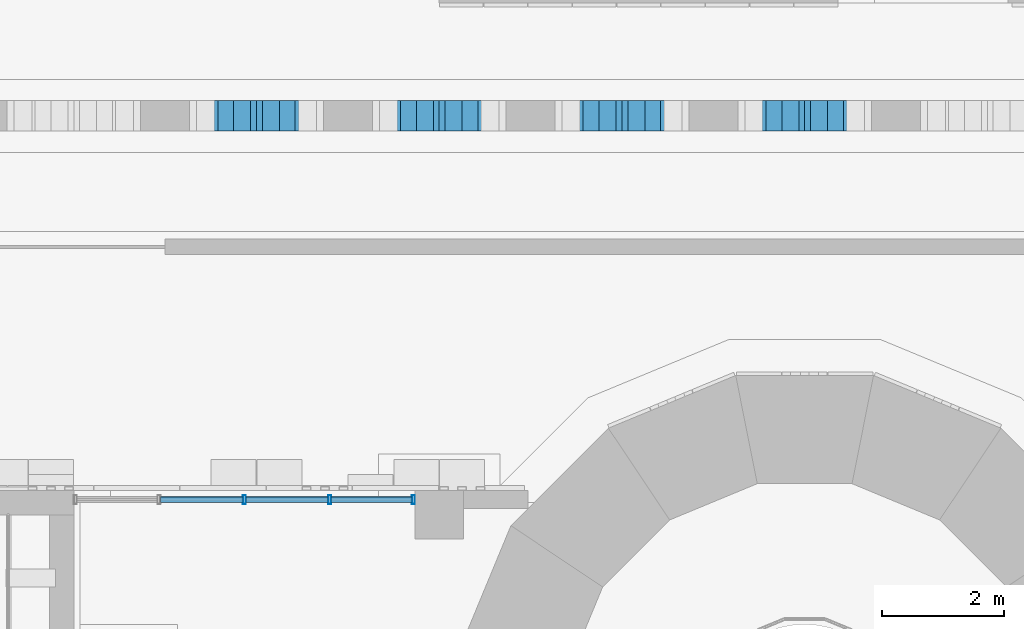
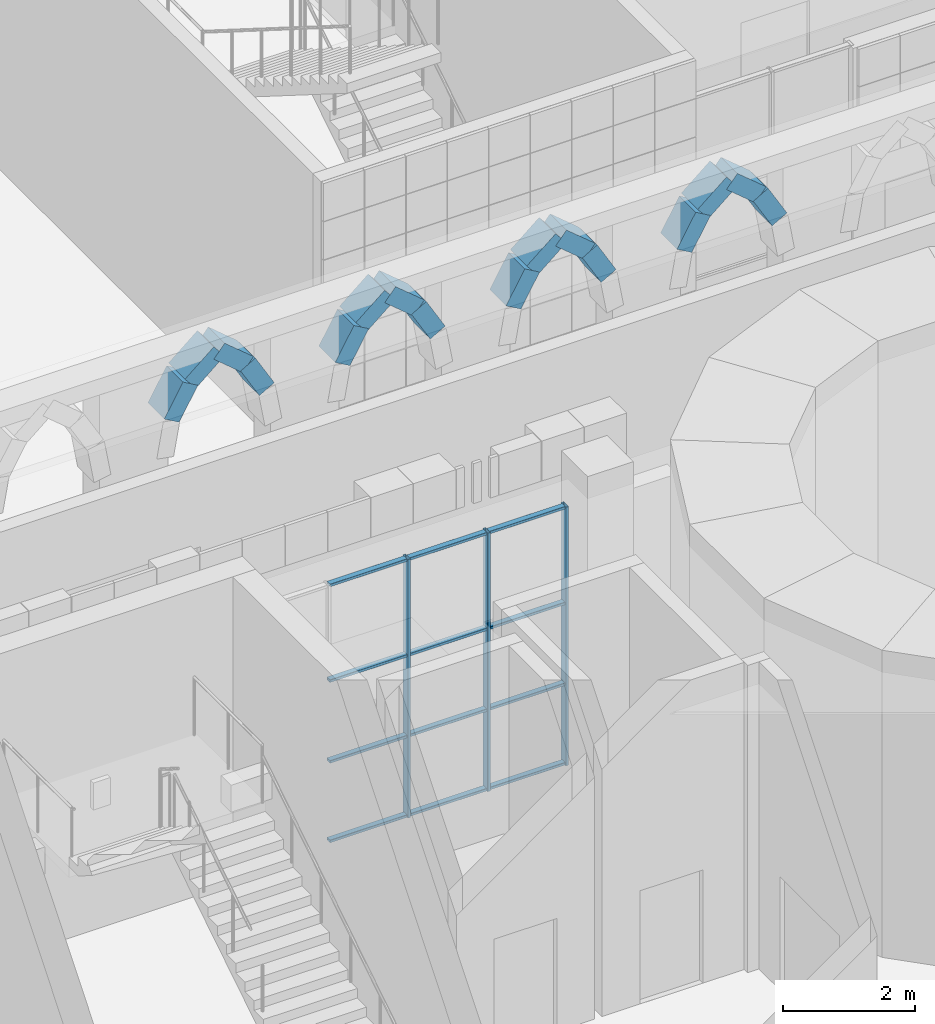
# One storey, part 7 of 125: 31 members, 1 element without a shape of its own.
"""IFC4 building model written with IfcOpenShell, lengths in metres."""

from ifc_helpers import new_model, si_unit, direction, frame, origin, origin_2d, place, context, subcontext, project, spatial, rectangle, hollow_rectangle, extrude, material, material_profile, profile_set, type_object, element, aggregate, save


model = new_model("IFC4")

# Units and contexts
model_context = context("Model", 3, precision=1e-05, world=origin(), true_north=direction((0.0, 1.0)))
body_context = subcontext(model_context, "Body", "Model", "MODEL_VIEW")
ifc_project = project(units=[si_unit("LENGTHUNIT", "METRE"), si_unit("AREAUNIT", "SQUARE_METRE"), si_unit("VOLUMEUNIT", "CUBIC_METRE"), si_unit("PLANEANGLEUNIT", "RADIAN"), si_unit("MASSUNIT", "GRAM", prefix="KILO")], contexts=[model_context])

# Site, building, storey
site_placement = place(None, origin())
site = spatial("IfcSite", under=ifc_project, at=site_placement, CompositionType="ELEMENT")
building_placement = place(site_placement, origin())
building = spatial("IfcBuilding", under=site, at=building_placement, Name="Sun Court Science Centre", CompositionType="ELEMENT")
storey_placement = place(building_placement, origin())
storey = spatial("IfcBuildingStorey", under=building, at=storey_placement, Name="L00", CompositionType="ELEMENT", Elevation=0.0)

# Members
ifc_material_1 = material(Name="Concrete C30/37", Category="concrete")
ifc_material_profile_1 = material_profile(ifc_material_1, rectangle(XDim=0.5, YDim=0.300048828125, at=origin_2d()), Name="RC 500x300")
ifc_profile_set_1 = profile_set([ifc_material_profile_1], Name="Concrete C30/37")
member_type_1 = type_object("IfcMemberType", Name="Arcade arch rib RC 500x300", PredefinedType="MEMBER", material=ifc_profile_set_1)
member_1_placement = place(storey_placement, frame((32.16455078125, 34.14990234375, 3.8798828125), z_axis=(0.500117354631, 0.0, 0.865957638454), x_axis=(0.0, 1.0, 0.0)))
element("IfcMember", 1, at=member_1_placement, inside=storey, type_object=member_type_1, Name="Arcade arch rib AR1 bay 03", PredefinedType="MEMBER", context=body_context, shape_type="SweptSolid", body=[
    extrude(rectangle(XDim=0.5, YDim=0.300048828125, at=origin_2d()), origin(), (0.0, 0.0, 1.0), 0.659912109375),
])
member_2_placement = place(storey_placement, frame((32.49462890625, 34.14990234375, 4.451416015625), z_axis=(0.76603282395, 0.0, 0.642801456619), x_axis=(0.0, 1.0, 0.0)))
element("IfcMember", 2, at=member_2_placement, inside=storey, type_object=member_type_1, Name="Arcade arch rib AR1 bay 03", PredefinedType="MEMBER", context=body_context, shape_type="SweptSolid", body=[
    extrude(rectangle(XDim=0.5, YDim=0.300048828125, at=origin_2d()), origin(), (0.0, 0.0, 1.0), 0.65966796875),
])
member_3_placement = place(storey_placement, frame((33.83544921875, 34.14990234375, 3.8798828125), z_axis=(-0.500117354631, 0.0, 0.865957638454), x_axis=(0.0, -1.0, 0.0)))
element("IfcMember", 3, at=member_3_placement, inside=storey, type_object=member_type_1, Name="Arcade arch rib AR1 bay 03", PredefinedType="MEMBER", context=body_context, shape_type="SweptSolid", body=[
    extrude(rectangle(XDim=0.5, YDim=0.300048828125, at=origin_2d()), origin(), (0.0, 0.0, 1.0), 0.659912109375),
])
member_4_placement = place(storey_placement, frame((33.50537109375, 34.14990234375, 4.451416015625), z_axis=(-0.76603282395, 0.0, 0.642801456619), x_axis=(0.0, -1.0, 0.0)))
element("IfcMember", 4, at=member_4_placement, inside=storey, type_object=member_type_1, Name="Arcade arch rib AR1 bay 03", PredefinedType="MEMBER", context=body_context, shape_type="SweptSolid", body=[
    extrude(rectangle(XDim=0.5, YDim=0.300048828125, at=origin_2d()), origin(), (0.0, 0.0, 1.0), 0.65966796875),
])
member_5_placement = place(storey_placement, frame((35.16455078125, 34.14990234375, 3.8798828125), z_axis=(0.500117354631, 0.0, 0.865957638454), x_axis=(0.0, 1.0, 0.0)))
element("IfcMember", 5, at=member_5_placement, inside=storey, type_object=member_type_1, Name="Arcade arch rib AR1 bay 04", PredefinedType="MEMBER", context=body_context, shape_type="SweptSolid", body=[
    extrude(rectangle(XDim=0.5, YDim=0.300048828125, at=origin_2d()), origin(), (0.0, 0.0, 1.0), 0.659912109375),
])
member_6_placement = place(storey_placement, frame((35.49462890625, 34.14990234375, 4.451416015625), z_axis=(0.76603282395, 0.0, 0.642801456619), x_axis=(0.0, 1.0, 0.0)))
element("IfcMember", 6, at=member_6_placement, inside=storey, type_object=member_type_1, Name="Arcade arch rib AR1 bay 04", PredefinedType="MEMBER", context=body_context, shape_type="SweptSolid", body=[
    extrude(rectangle(XDim=0.5, YDim=0.300048828125, at=origin_2d()), origin(), (0.0, 0.0, 1.0), 0.65966796875),
])
member_7_placement = place(storey_placement, frame((36.83544921875, 34.14990234375, 3.8798828125), z_axis=(-0.500117354631, 0.0, 0.865957638454), x_axis=(0.0, -1.0, 0.0)))
element("IfcMember", 7, at=member_7_placement, inside=storey, type_object=member_type_1, Name="Arcade arch rib AR1 bay 04", PredefinedType="MEMBER", context=body_context, shape_type="SweptSolid", body=[
    extrude(rectangle(XDim=0.5, YDim=0.300048828125, at=origin_2d()), origin(), (0.0, 0.0, 1.0), 0.659912109375),
])
member_8_placement = place(storey_placement, frame((36.50537109375, 34.14990234375, 4.451416015625), z_axis=(-0.76603282395, 0.0, 0.642801456619), x_axis=(0.0, -1.0, 0.0)))
element("IfcMember", 8, at=member_8_placement, inside=storey, type_object=member_type_1, Name="Arcade arch rib AR1 bay 04", PredefinedType="MEMBER", context=body_context, shape_type="SweptSolid", body=[
    extrude(rectangle(XDim=0.5, YDim=0.300048828125, at=origin_2d()), origin(), (0.0, 0.0, 1.0), 0.65966796875),
])
member_9_placement = place(storey_placement, frame((38.16455078125, 34.14990234375, 3.8798828125), z_axis=(0.500117354631, 0.0, 0.865957638454), x_axis=(0.0, 1.0, 0.0)))
element("IfcMember", 9, at=member_9_placement, inside=storey, type_object=member_type_1, Name="Arcade arch rib AR1 bay 05", PredefinedType="MEMBER", context=body_context, shape_type="SweptSolid", body=[
    extrude(rectangle(XDim=0.5, YDim=0.300048828125, at=origin_2d()), origin(), (0.0, 0.0, 1.0), 0.659912109375),
])
member_10_placement = place(storey_placement, frame((38.49462890625, 34.14990234375, 4.451416015625), z_axis=(0.76603282395, 0.0, 0.642801456619), x_axis=(0.0, 1.0, 0.0)))
element("IfcMember", 10, at=member_10_placement, inside=storey, type_object=member_type_1, Name="Arcade arch rib AR1 bay 05", PredefinedType="MEMBER", context=body_context, shape_type="SweptSolid", body=[
    extrude(rectangle(XDim=0.5, YDim=0.300048828125, at=origin_2d()), origin(), (0.0, 0.0, 1.0), 0.65966796875),
])
member_11_placement = place(storey_placement, frame((39.83544921875, 34.14990234375, 3.8798828125), z_axis=(-0.500117354631, 0.0, 0.865957638454), x_axis=(0.0, -1.0, 0.0)))
element("IfcMember", 11, at=member_11_placement, inside=storey, type_object=member_type_1, Name="Arcade arch rib AR1 bay 05", PredefinedType="MEMBER", context=body_context, shape_type="SweptSolid", body=[
    extrude(rectangle(XDim=0.5, YDim=0.300048828125, at=origin_2d()), origin(), (0.0, 0.0, 1.0), 0.659912109375),
])
member_12_placement = place(storey_placement, frame((39.50537109375, 34.14990234375, 4.451416015625), z_axis=(-0.76603282395, 0.0, 0.642801456619), x_axis=(0.0, -1.0, 0.0)))
element("IfcMember", 12, at=member_12_placement, inside=storey, type_object=member_type_1, Name="Arcade arch rib AR1 bay 05", PredefinedType="MEMBER", context=body_context, shape_type="SweptSolid", body=[
    extrude(rectangle(XDim=0.5, YDim=0.300048828125, at=origin_2d()), origin(), (0.0, 0.0, 1.0), 0.65966796875),
])
member_13_placement = place(storey_placement, frame((41.16455078125, 34.14990234375, 3.8798828125), z_axis=(0.500117354631, 0.0, 0.865957638454), x_axis=(0.0, 1.0, 0.0)))
element("IfcMember", 13, at=member_13_placement, inside=storey, type_object=member_type_1, Name="Arcade arch rib AR1 bay 06", PredefinedType="MEMBER", context=body_context, shape_type="SweptSolid", body=[
    extrude(rectangle(XDim=0.5, YDim=0.300048828125, at=origin_2d()), origin(), (0.0, 0.0, 1.0), 0.659912109375),
])
member_14_placement = place(storey_placement, frame((41.49462890625, 34.14990234375, 4.451416015625), z_axis=(0.76603282395, 0.0, 0.642801456619), x_axis=(0.0, 1.0, 0.0)))
element("IfcMember", 14, at=member_14_placement, inside=storey, type_object=member_type_1, Name="Arcade arch rib AR1 bay 06", PredefinedType="MEMBER", context=body_context, shape_type="SweptSolid", body=[
    extrude(rectangle(XDim=0.5, YDim=0.300048828125, at=origin_2d()), origin(), (0.0, 0.0, 1.0), 0.65966796875),
])
member_15_placement = place(storey_placement, frame((42.83544921875, 34.14990234375, 3.8798828125), z_axis=(-0.500117354631, 0.0, 0.865957638454), x_axis=(0.0, -1.0, 0.0)))
element("IfcMember", 15, at=member_15_placement, inside=storey, type_object=member_type_1, Name="Arcade arch rib AR1 bay 06", PredefinedType="MEMBER", context=body_context, shape_type="SweptSolid", body=[
    extrude(rectangle(XDim=0.5, YDim=0.300048828125, at=origin_2d()), origin(), (0.0, 0.0, 1.0), 0.659912109375),
])
member_16_placement = place(storey_placement, frame((42.50537109375, 34.14990234375, 4.451416015625), z_axis=(-0.76603282395, 0.0, 0.642801456619), x_axis=(0.0, -1.0, 0.0)))
element("IfcMember", 16, at=member_16_placement, inside=storey, type_object=member_type_1, Name="Arcade arch rib AR1 bay 06", PredefinedType="MEMBER", context=body_context, shape_type="SweptSolid", body=[
    extrude(rectangle(XDim=0.5, YDim=0.300048828125, at=origin_2d()), origin(), (0.0, 0.0, 1.0), 0.65966796875),
])

# Curtain wall, members
ifc_material_2 = material(Name="Aluminium EN AW-6063 T6", Category="aluminium")
curtain_wall_type = type_object("IfcCurtainWallType", Name="Court gallery curtain wall 1500", PredefinedType="NOTDEFINED", material=ifc_material_2)
curtain_wall_placement = place(storey_placement, origin())
curtain_wall = element("IfcCurtainWall", 17, at=curtain_wall_placement, inside=storey, type_object=curtain_wall_type, Name="Curtain wall V2 N L00 01", PredefinedType="NOTDEFINED")
ifc_material_3 = material(Name="Aluminium EN AW-6063 T6", Category="aluminium")
ifc_material_profile_2 = material_profile(ifc_material_3, hollow_rectangle(XDim=0.050048828125, YDim=0.14990234375, WallThickness=0.00390625, InnerFilletRadius=0.00390625, OuterFilletRadius=0.006103515625, at=origin_2d()), Name="AL 50x150x4")
ifc_profile_set_2 = profile_set([ifc_material_profile_2], Name="Aluminium EN AW-6063 T6")
member_type_2 = type_object("IfcMemberType", Name="Curtain wall mullion AL 50x150", PredefinedType="MULLION", material=ifc_profile_set_2)
member_17_placement = place(storey_placement, frame((32.800048828125, 27.85009765625, 0.0), z_axis=(0.0, 0.0, 1.0), x_axis=(1.0, 0.0, 0.0)))
member_17 = element("IfcMember", 18, at=member_17_placement, type_object=member_type_2, Name="CW5-01 mullion 3", PredefinedType="MULLION", context=body_context, shape_type="SweptSolid", body=[
    extrude(hollow_rectangle(XDim=0.050048828125, YDim=0.14990234375, WallThickness=0.00390625, InnerFilletRadius=0.00390625, OuterFilletRadius=0.006103515625, at=origin_2d()), origin(), (0.0, 0.0, 1.0), 4.800048828125),
])
member_18_placement = place(storey_placement, frame((34.199951171875, 27.85009765625, 0.0), z_axis=(0.0, 0.0, 1.0), x_axis=(1.0, 0.0, 0.0)))
member_18 = element("IfcMember", 19, at=member_18_placement, type_object=member_type_2, Name="CW5-01 mullion 4", PredefinedType="MULLION", context=body_context, shape_type="SweptSolid", body=[
    extrude(hollow_rectangle(XDim=0.050048828125, YDim=0.14990234375, WallThickness=0.00390625, InnerFilletRadius=0.00390625, OuterFilletRadius=0.006103515625, at=origin_2d()), origin(), (0.0, 0.0, 1.0), 4.800048828125),
])
member_19_placement = place(storey_placement, frame((35.574951171875, 27.85009765625, 0.0), z_axis=(0.0, 0.0, 1.0), x_axis=(1.0, 0.0, 0.0)))
member_19 = element("IfcMember", 20, at=member_19_placement, type_object=member_type_2, Name="CW5-01 mullion 5", PredefinedType="MULLION", context=body_context, shape_type="SweptSolid", body=[
    extrude(hollow_rectangle(XDim=0.050048828125, YDim=0.14990234375, WallThickness=0.00390625, InnerFilletRadius=0.00390625, OuterFilletRadius=0.006103515625, at=origin_2d()), origin(), (0.0, 0.0, 1.0), 4.800048828125),
])
ifc_material_4 = material(Name="Aluminium EN AW-6063 T6", Category="aluminium")
ifc_material_profile_3 = material_profile(ifc_material_4, hollow_rectangle(XDim=0.050048828125, YDim=0.10009765625, WallThickness=0.00390625, InnerFilletRadius=0.00390625, OuterFilletRadius=0.006103515625, at=origin_2d()), Name="AL 50x100x4")
ifc_profile_set_3 = profile_set([ifc_material_profile_3], Name="Aluminium EN AW-6063 T6")
member_type_3 = type_object("IfcMemberType", Name="Curtain wall transom AL 50x100", PredefinedType="USERDEFINED", material=ifc_profile_set_3)
member_20_placement = place(storey_placement, frame((31.425048828125, 27.85009765625, 0.02490234375), z_axis=(1.0, 0.0, 0.0), x_axis=(0.0, 0.0, 1.0)))
member_20 = element("IfcMember", 21, at=member_20_placement, type_object=member_type_3, Name="CW5-01 transom 2.1", ObjectType="TRANSOM", PredefinedType="USERDEFINED", context=body_context, shape_type="SweptSolid", body=[
    extrude(hollow_rectangle(XDim=0.050048828125, YDim=0.10009765625, WallThickness=0.00390625, InnerFilletRadius=0.00390625, OuterFilletRadius=0.006103515625, at=origin_2d()), origin(), (0.0, 0.0, 1.0), 1.349853515625),
])
member_21_placement = place(storey_placement, frame((32.824951171875, 27.85009765625, 0.02490234375), z_axis=(1.0, 0.0, 0.0), x_axis=(0.0, 0.0, 1.0)))
member_21 = element("IfcMember", 22, at=member_21_placement, type_object=member_type_3, Name="CW5-01 transom 3.1", ObjectType="TRANSOM", PredefinedType="USERDEFINED", context=body_context, shape_type="SweptSolid", body=[
    extrude(hollow_rectangle(XDim=0.050048828125, YDim=0.10009765625, WallThickness=0.00390625, InnerFilletRadius=0.00390625, OuterFilletRadius=0.006103515625, at=origin_2d()), origin(), (0.0, 0.0, 1.0), 1.35009765625),
])
member_22_placement = place(storey_placement, frame((34.22509765625, 27.85009765625, 0.02490234375), z_axis=(1.0, 0.0, 0.0), x_axis=(0.0, 0.0, 1.0)))
member_22 = element("IfcMember", 23, at=member_22_placement, type_object=member_type_3, Name="CW5-01 transom 4.1", ObjectType="TRANSOM", PredefinedType="USERDEFINED", context=body_context, shape_type="SweptSolid", body=[
    extrude(hollow_rectangle(XDim=0.050048828125, YDim=0.10009765625, WallThickness=0.00390625, InnerFilletRadius=0.00390625, OuterFilletRadius=0.006103515625, at=origin_2d()), origin(), (0.0, 0.0, 1.0), 1.324951171875),
])
member_23_placement = place(storey_placement, frame((31.425048828125, 27.85009765625, 1.5), z_axis=(1.0, 0.0, 0.0), x_axis=(0.0, 0.0, 1.0)))
member_23 = element("IfcMember", 24, at=member_23_placement, type_object=member_type_3, Name="CW5-01 transom 2.2", ObjectType="TRANSOM", PredefinedType="USERDEFINED", context=body_context, shape_type="SweptSolid", body=[
    extrude(hollow_rectangle(XDim=0.050048828125, YDim=0.10009765625, WallThickness=0.00390625, InnerFilletRadius=0.00390625, OuterFilletRadius=0.006103515625, at=origin_2d()), origin(), (0.0, 0.0, 1.0), 1.349853515625),
])
member_24_placement = place(storey_placement, frame((32.824951171875, 27.85009765625, 1.5), z_axis=(1.0, 0.0, 0.0), x_axis=(0.0, 0.0, 1.0)))
member_24 = element("IfcMember", 25, at=member_24_placement, type_object=member_type_3, Name="CW5-01 transom 3.2", ObjectType="TRANSOM", PredefinedType="USERDEFINED", context=body_context, shape_type="SweptSolid", body=[
    extrude(hollow_rectangle(XDim=0.050048828125, YDim=0.10009765625, WallThickness=0.00390625, InnerFilletRadius=0.00390625, OuterFilletRadius=0.006103515625, at=origin_2d()), origin(), (0.0, 0.0, 1.0), 1.35009765625),
])
member_25_placement = place(storey_placement, frame((34.22509765625, 27.85009765625, 1.5), z_axis=(1.0, 0.0, 0.0), x_axis=(0.0, 0.0, 1.0)))
member_25 = element("IfcMember", 26, at=member_25_placement, type_object=member_type_3, Name="CW5-01 transom 4.2", ObjectType="TRANSOM", PredefinedType="USERDEFINED", context=body_context, shape_type="SweptSolid", body=[
    extrude(hollow_rectangle(XDim=0.050048828125, YDim=0.10009765625, WallThickness=0.00390625, InnerFilletRadius=0.00390625, OuterFilletRadius=0.006103515625, at=origin_2d()), origin(), (0.0, 0.0, 1.0), 1.324951171875),
])
member_26_placement = place(storey_placement, frame((31.425048828125, 27.85009765625, 3.0), z_axis=(1.0, 0.0, 0.0), x_axis=(0.0, 0.0, 1.0)))
member_26 = element("IfcMember", 27, at=member_26_placement, type_object=member_type_3, Name="CW5-01 transom 2.3", ObjectType="TRANSOM", PredefinedType="USERDEFINED", context=body_context, shape_type="SweptSolid", body=[
    extrude(hollow_rectangle(XDim=0.050048828125, YDim=0.10009765625, WallThickness=0.00390625, InnerFilletRadius=0.00390625, OuterFilletRadius=0.006103515625, at=origin_2d()), origin(), (0.0, 0.0, 1.0), 1.349853515625),
])
member_27_placement = place(storey_placement, frame((32.824951171875, 27.85009765625, 3.0), z_axis=(1.0, 0.0, 0.0), x_axis=(0.0, 0.0, 1.0)))
member_27 = element("IfcMember", 28, at=member_27_placement, type_object=member_type_3, Name="CW5-01 transom 3.3", ObjectType="TRANSOM", PredefinedType="USERDEFINED", context=body_context, shape_type="SweptSolid", body=[
    extrude(hollow_rectangle(XDim=0.050048828125, YDim=0.10009765625, WallThickness=0.00390625, InnerFilletRadius=0.00390625, OuterFilletRadius=0.006103515625, at=origin_2d()), origin(), (0.0, 0.0, 1.0), 1.35009765625),
])
member_28_placement = place(storey_placement, frame((34.22509765625, 27.85009765625, 3.0), z_axis=(1.0, 0.0, 0.0), x_axis=(0.0, 0.0, 1.0)))
member_28 = element("IfcMember", 29, at=member_28_placement, type_object=member_type_3, Name="CW5-01 transom 4.3", ObjectType="TRANSOM", PredefinedType="USERDEFINED", context=body_context, shape_type="SweptSolid", body=[
    extrude(hollow_rectangle(XDim=0.050048828125, YDim=0.10009765625, WallThickness=0.00390625, InnerFilletRadius=0.00390625, OuterFilletRadius=0.006103515625, at=origin_2d()), origin(), (0.0, 0.0, 1.0), 1.324951171875),
])
member_29_placement = place(storey_placement, frame((31.425048828125, 27.85009765625, 4.77490234375), z_axis=(1.0, 0.0, 0.0), x_axis=(0.0, 0.0, 1.0)))
member_29 = element("IfcMember", 30, at=member_29_placement, type_object=member_type_3, Name="CW5-01 transom 2.4", ObjectType="TRANSOM", PredefinedType="USERDEFINED", context=body_context, shape_type="SweptSolid", body=[
    extrude(hollow_rectangle(XDim=0.050048828125, YDim=0.10009765625, WallThickness=0.00390625, InnerFilletRadius=0.00390625, OuterFilletRadius=0.006103515625, at=origin_2d()), origin(), (0.0, 0.0, 1.0), 1.349853515625),
])
member_30_placement = place(storey_placement, frame((32.824951171875, 27.85009765625, 4.77490234375), z_axis=(1.0, 0.0, 0.0), x_axis=(0.0, 0.0, 1.0)))
member_30 = element("IfcMember", 31, at=member_30_placement, type_object=member_type_3, Name="CW5-01 transom 3.4", ObjectType="TRANSOM", PredefinedType="USERDEFINED", context=body_context, shape_type="SweptSolid", body=[
    extrude(hollow_rectangle(XDim=0.050048828125, YDim=0.10009765625, WallThickness=0.00390625, InnerFilletRadius=0.00390625, OuterFilletRadius=0.006103515625, at=origin_2d()), origin(), (0.0, 0.0, 1.0), 1.35009765625),
])
member_31_placement = place(storey_placement, frame((34.22509765625, 27.85009765625, 4.77490234375), z_axis=(1.0, 0.0, 0.0), x_axis=(0.0, 0.0, 1.0)))
member_31 = element("IfcMember", 32, at=member_31_placement, type_object=member_type_3, Name="CW5-01 transom 4.4", ObjectType="TRANSOM", PredefinedType="USERDEFINED", context=body_context, shape_type="SweptSolid", body=[
    extrude(hollow_rectangle(XDim=0.050048828125, YDim=0.10009765625, WallThickness=0.00390625, InnerFilletRadius=0.00390625, OuterFilletRadius=0.006103515625, at=origin_2d()), origin(), (0.0, 0.0, 1.0), 1.324951171875),
])
aggregate(curtain_wall, [member_17, member_18, member_19, member_20, member_21, member_22, member_23, member_24, member_25, member_26, member_27, member_28, member_29, member_30, member_31])

save(model, "model.ifc")
